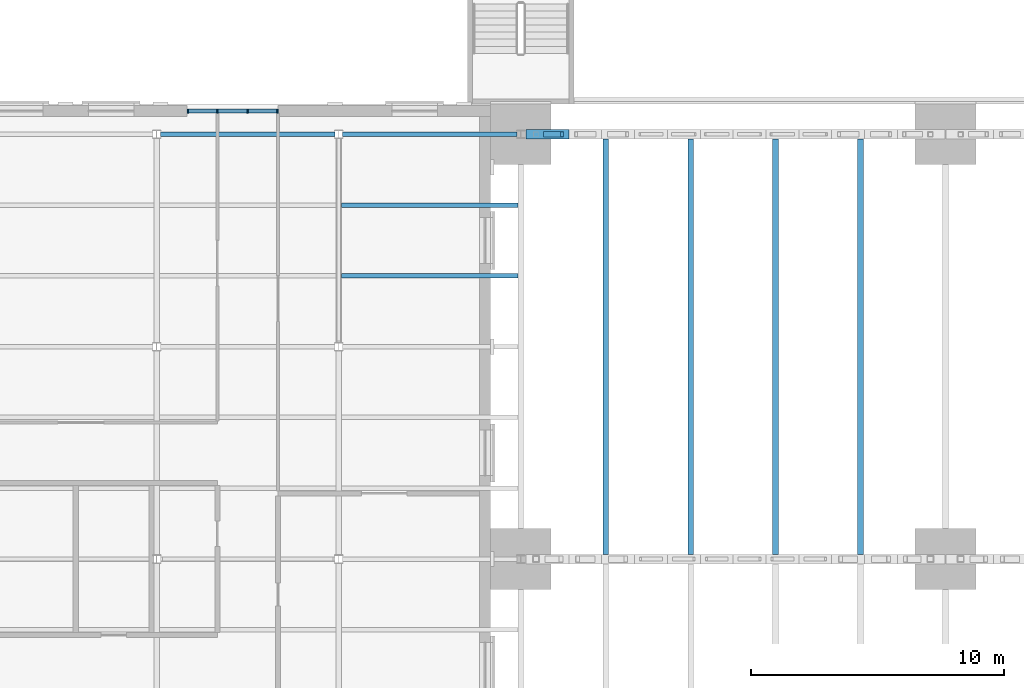
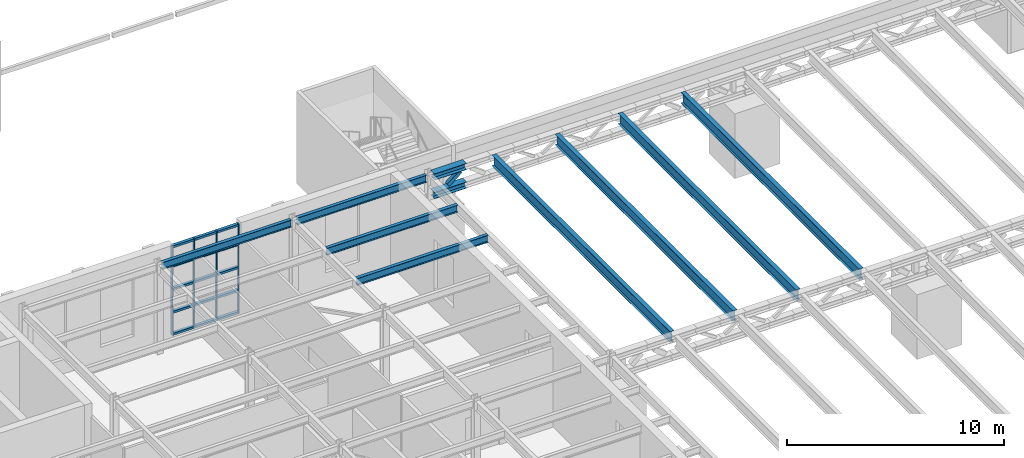
# One storey, part 20 of 93: 22 members, 8 beams, 1 element without a shape of its own.
"""IFC4 building model written with IfcOpenShell, lengths in metres."""

from ifc_helpers import new_model, si_unit, direction, frame, origin, origin_2d, place, context, subcontext, project, spatial, rectangle, hollow_rectangle, i_section, extrude, material, layer, layer_set, material_profile, profile_set, type_object, element, aggregate, save


model = new_model("IFC4")

# Units and contexts
model_context = context("Model", 3, precision=1e-05, world=origin(), true_north=direction((0.0, 1.0)))
body_context = subcontext(model_context, "Body", "Model", "MODEL_VIEW")
ifc_project = project(units=[si_unit("LENGTHUNIT", "METRE"), si_unit("AREAUNIT", "SQUARE_METRE"), si_unit("VOLUMEUNIT", "CUBIC_METRE"), si_unit("PLANEANGLEUNIT", "RADIAN"), si_unit("MASSUNIT", "GRAM", prefix="KILO")], contexts=[model_context])

# Site, building, storey
site_placement = place(None, origin())
site = spatial("IfcSite", under=ifc_project, at=site_placement, CompositionType="ELEMENT")
building_placement = place(site_placement, origin())
building = spatial("IfcBuilding", under=site, at=building_placement, Name="Verrick Yard Athletic Hall", CompositionType="ELEMENT")
storey_placement = place(building_placement, frame((0.0, 0.0, 8.800048828125)))
storey = spatial("IfcBuildingStorey", under=building, at=storey_placement, Name="L02", CompositionType="ELEMENT", Elevation=8.800048828125)

# Curtain wall, members
ifc_material_1 = material(Name="Anodised aluminium", Category="aluminium")
ifc_layer = layer(ifc_material_1, 0.199951171875)
ifc_layer_set = layer_set([ifc_layer], Name="Front glazing")
curtain_wall_type = type_object("IfcCurtainWallType", Name="Front glazing", PredefinedType="NOTDEFINED", material=ifc_layer_set)
curtain_wall_placement = place(storey_placement, origin())
curtain_wall = element("IfcCurtainWall", 1, at=curtain_wall_placement, inside=storey, type_object=curtain_wall_type, Name="ENVB-WN-L02-CW268", PredefinedType="NOTDEFINED")
ifc_material_profile_1 = material_profile(ifc_material_1, rectangle(XDim=0.159912109375, YDim=0.06005859375, at=origin_2d()), Name="CW mullion 60x160")
ifc_profile_set_1 = profile_set([ifc_material_profile_1], Name="Anodised aluminium")
member_type_1 = type_object("IfcMemberType", Name="Front glazing mullion 60x160", PredefinedType="MULLION", material=ifc_profile_set_1)
member_1_placement = place(storey_placement, frame((26.830078125, 53.71875, 0.0), z_axis=(0.0, 0.0, 1.0), x_axis=(0.0, 1.0, 0.0)))
member_1 = element("IfcMember", 2, at=member_1_placement, type_object=member_type_1, Name="ENVB-WN-L02-CW268/M00", PredefinedType="MULLION", context=body_context, shape_type="SweptSolid", body=[
    extrude(rectangle(XDim=0.159912109375, YDim=0.06005859375, at=origin_2d()), origin(), (0.0, 0.0, 1.0), 5.050048828125),
])
member_2_placement = place(storey_placement, frame((28.0, 53.71875, 0.0), z_axis=(0.0, 0.0, 1.0), x_axis=(0.0, 1.0, 0.0)))
member_2 = element("IfcMember", 3, at=member_2_placement, type_object=member_type_1, Name="ENVB-WN-L02-CW268/M01", PredefinedType="MULLION", context=body_context, shape_type="SweptSolid", body=[
    extrude(rectangle(XDim=0.159912109375, YDim=0.06005859375, at=origin_2d()), origin(), (0.0, 0.0, 1.0), 5.050048828125),
])
member_3_placement = place(storey_placement, frame((29.199951171875, 53.71875, 0.0), z_axis=(0.0, 0.0, 1.0), x_axis=(0.0, 1.0, 0.0)))
member_3 = element("IfcMember", 4, at=member_3_placement, type_object=member_type_1, Name="ENVB-WN-L02-CW268/M02", PredefinedType="MULLION", context=body_context, shape_type="SweptSolid", body=[
    extrude(rectangle(XDim=0.159912109375, YDim=0.06005859375, at=origin_2d()), origin(), (0.0, 0.0, 1.0), 5.050048828125),
])
member_4_placement = place(storey_placement, frame((30.3701171875, 53.71875, 0.0), z_axis=(0.0, 0.0, 1.0), x_axis=(0.0, 1.0, 0.0)))
member_4 = element("IfcMember", 5, at=member_4_placement, type_object=member_type_1, Name="ENVB-WN-L02-CW268/M03", PredefinedType="MULLION", context=body_context, shape_type="SweptSolid", body=[
    extrude(rectangle(XDim=0.159912109375, YDim=0.06005859375, at=origin_2d()), origin(), (0.0, 0.0, 1.0), 5.050048828125),
])
ifc_material_profile_2 = material_profile(ifc_material_1, rectangle(XDim=0.159912109375, YDim=0.1201171875, at=origin_2d()), Name="CW transom 160x120")
ifc_profile_set_2 = profile_set([ifc_material_profile_2], Name="Anodised aluminium")
member_type_2 = type_object("IfcMemberType", Name="Front glazing transom 160x120", PredefinedType="USERDEFINED", material=ifc_profile_set_2)
member_5_placement = place(storey_placement, frame((26.860107421875, 53.71875, 0.06005859375), z_axis=(1.0, 0.0, 0.0), x_axis=(0.0, 1.0, 0.0)))
member_5 = element("IfcMember", 6, at=member_5_placement, type_object=member_type_2, Name="ENVB-WN-L02-CW268/T00-00", ObjectType="TRANSOM", PredefinedType="USERDEFINED", context=body_context, shape_type="SweptSolid", body=[
    extrude(rectangle(XDim=0.159912109375, YDim=0.1201171875, at=origin_2d()), origin(), (0.0, 0.0, 1.0), 1.10986328125),
])
member_6_placement = place(storey_placement, frame((26.860107421875, 53.71875, 1.300048828125), z_axis=(1.0, 0.0, 0.0), x_axis=(0.0, 1.0, 0.0)))
member_6 = element("IfcMember", 7, at=member_6_placement, type_object=member_type_2, Name="ENVB-WN-L02-CW268/T00-01", ObjectType="TRANSOM", PredefinedType="USERDEFINED", context=body_context, shape_type="SweptSolid", body=[
    extrude(rectangle(XDim=0.159912109375, YDim=0.1201171875, at=origin_2d()), origin(), (0.0, 0.0, 1.0), 1.10986328125),
])
member_7_placement = place(storey_placement, frame((26.860107421875, 53.71875, 2.599853515625), z_axis=(1.0, 0.0, 0.0), x_axis=(0.0, 1.0, 0.0)))
member_7 = element("IfcMember", 8, at=member_7_placement, type_object=member_type_2, Name="ENVB-WN-L02-CW268/T00-02", ObjectType="TRANSOM", PredefinedType="USERDEFINED", context=body_context, shape_type="SweptSolid", body=[
    extrude(rectangle(XDim=0.159912109375, YDim=0.1201171875, at=origin_2d()), origin(), (0.0, 0.0, 1.0), 1.10986328125),
])
member_8_placement = place(storey_placement, frame((26.860107421875, 53.71875, 3.89990234375), z_axis=(1.0, 0.0, 0.0), x_axis=(0.0, 1.0, 0.0)))
member_8 = element("IfcMember", 9, at=member_8_placement, type_object=member_type_2, Name="ENVB-WN-L02-CW268/T00-03", ObjectType="TRANSOM", PredefinedType="USERDEFINED", context=body_context, shape_type="SweptSolid", body=[
    extrude(rectangle(XDim=0.159912109375, YDim=0.1201171875, at=origin_2d()), origin(), (0.0, 0.0, 1.0), 1.10986328125),
])
member_9_placement = place(storey_placement, frame((26.860107421875, 53.71875, 4.989990234375), z_axis=(1.0, 0.0, 0.0), x_axis=(0.0, 1.0, 0.0)))
member_9 = element("IfcMember", 10, at=member_9_placement, type_object=member_type_2, Name="ENVB-WN-L02-CW268/T00-04", ObjectType="TRANSOM", PredefinedType="USERDEFINED", context=body_context, shape_type="SweptSolid", body=[
    extrude(rectangle(XDim=0.159912109375, YDim=0.1201171875, at=origin_2d()), origin(), (0.0, 0.0, 1.0), 1.10986328125),
])
member_10_placement = place(storey_placement, frame((28.030029296875, 53.71875, 0.06005859375), z_axis=(1.0, 0.0, 0.0), x_axis=(0.0, 1.0, 0.0)))
member_10 = element("IfcMember", 11, at=member_10_placement, type_object=member_type_2, Name="ENVB-WN-L02-CW268/T01-00", ObjectType="TRANSOM", PredefinedType="USERDEFINED", context=body_context, shape_type="SweptSolid", body=[
    extrude(rectangle(XDim=0.159912109375, YDim=0.1201171875, at=origin_2d()), origin(), (0.0, 0.0, 1.0), 1.139892578125),
])
member_11_placement = place(storey_placement, frame((28.030029296875, 53.71875, 1.300048828125), z_axis=(1.0, 0.0, 0.0), x_axis=(0.0, 1.0, 0.0)))
member_11 = element("IfcMember", 12, at=member_11_placement, type_object=member_type_2, Name="ENVB-WN-L02-CW268/T01-01", ObjectType="TRANSOM", PredefinedType="USERDEFINED", context=body_context, shape_type="SweptSolid", body=[
    extrude(rectangle(XDim=0.159912109375, YDim=0.1201171875, at=origin_2d()), origin(), (0.0, 0.0, 1.0), 1.139892578125),
])
member_12_placement = place(storey_placement, frame((28.030029296875, 53.71875, 2.599853515625), z_axis=(1.0, 0.0, 0.0), x_axis=(0.0, 1.0, 0.0)))
member_12 = element("IfcMember", 13, at=member_12_placement, type_object=member_type_2, Name="ENVB-WN-L02-CW268/T01-02", ObjectType="TRANSOM", PredefinedType="USERDEFINED", context=body_context, shape_type="SweptSolid", body=[
    extrude(rectangle(XDim=0.159912109375, YDim=0.1201171875, at=origin_2d()), origin(), (0.0, 0.0, 1.0), 1.139892578125),
])
member_13_placement = place(storey_placement, frame((28.030029296875, 53.71875, 3.89990234375), z_axis=(1.0, 0.0, 0.0), x_axis=(0.0, 1.0, 0.0)))
member_13 = element("IfcMember", 14, at=member_13_placement, type_object=member_type_2, Name="ENVB-WN-L02-CW268/T01-03", ObjectType="TRANSOM", PredefinedType="USERDEFINED", context=body_context, shape_type="SweptSolid", body=[
    extrude(rectangle(XDim=0.159912109375, YDim=0.1201171875, at=origin_2d()), origin(), (0.0, 0.0, 1.0), 1.139892578125),
])
member_14_placement = place(storey_placement, frame((28.030029296875, 53.71875, 4.989990234375), z_axis=(1.0, 0.0, 0.0), x_axis=(0.0, 1.0, 0.0)))
member_14 = element("IfcMember", 15, at=member_14_placement, type_object=member_type_2, Name="ENVB-WN-L02-CW268/T01-04", ObjectType="TRANSOM", PredefinedType="USERDEFINED", context=body_context, shape_type="SweptSolid", body=[
    extrude(rectangle(XDim=0.159912109375, YDim=0.1201171875, at=origin_2d()), origin(), (0.0, 0.0, 1.0), 1.139892578125),
])
member_15_placement = place(storey_placement, frame((29.22998046875, 53.71875, 0.06005859375), z_axis=(1.0, 0.0, 0.0), x_axis=(0.0, 1.0, 0.0)))
member_15 = element("IfcMember", 16, at=member_15_placement, type_object=member_type_2, Name="ENVB-WN-L02-CW268/T02-00", ObjectType="TRANSOM", PredefinedType="USERDEFINED", context=body_context, shape_type="SweptSolid", body=[
    extrude(rectangle(XDim=0.159912109375, YDim=0.1201171875, at=origin_2d()), origin(), (0.0, 0.0, 1.0), 1.110107421875),
])
member_16_placement = place(storey_placement, frame((29.22998046875, 53.71875, 1.300048828125), z_axis=(1.0, 0.0, 0.0), x_axis=(0.0, 1.0, 0.0)))
member_16 = element("IfcMember", 17, at=member_16_placement, type_object=member_type_2, Name="ENVB-WN-L02-CW268/T02-01", ObjectType="TRANSOM", PredefinedType="USERDEFINED", context=body_context, shape_type="SweptSolid", body=[
    extrude(rectangle(XDim=0.159912109375, YDim=0.1201171875, at=origin_2d()), origin(), (0.0, 0.0, 1.0), 1.110107421875),
])
member_17_placement = place(storey_placement, frame((29.22998046875, 53.71875, 2.599853515625), z_axis=(1.0, 0.0, 0.0), x_axis=(0.0, 1.0, 0.0)))
member_17 = element("IfcMember", 18, at=member_17_placement, type_object=member_type_2, Name="ENVB-WN-L02-CW268/T02-02", ObjectType="TRANSOM", PredefinedType="USERDEFINED", context=body_context, shape_type="SweptSolid", body=[
    extrude(rectangle(XDim=0.159912109375, YDim=0.1201171875, at=origin_2d()), origin(), (0.0, 0.0, 1.0), 1.110107421875),
])
member_18_placement = place(storey_placement, frame((29.22998046875, 53.71875, 3.89990234375), z_axis=(1.0, 0.0, 0.0), x_axis=(0.0, 1.0, 0.0)))
member_18 = element("IfcMember", 19, at=member_18_placement, type_object=member_type_2, Name="ENVB-WN-L02-CW268/T02-03", ObjectType="TRANSOM", PredefinedType="USERDEFINED", context=body_context, shape_type="SweptSolid", body=[
    extrude(rectangle(XDim=0.159912109375, YDim=0.1201171875, at=origin_2d()), origin(), (0.0, 0.0, 1.0), 1.110107421875),
])
member_19_placement = place(storey_placement, frame((29.22998046875, 53.71875, 4.989990234375), z_axis=(1.0, 0.0, 0.0), x_axis=(0.0, 1.0, 0.0)))
member_19 = element("IfcMember", 20, at=member_19_placement, type_object=member_type_2, Name="ENVB-WN-L02-CW268/T02-04", ObjectType="TRANSOM", PredefinedType="USERDEFINED", context=body_context, shape_type="SweptSolid", body=[
    extrude(rectangle(XDim=0.159912109375, YDim=0.1201171875, at=origin_2d()), origin(), (0.0, 0.0, 1.0), 1.110107421875),
])
aggregate(curtain_wall, [member_1, member_2, member_3, member_4, member_5, member_6, member_7, member_8, member_9, member_10, member_11, member_12, member_13, member_14, member_15, member_16, member_17, member_18, member_19])

# Members
ifc_material_2 = material(Name="Structural steel 350W (CSA G40.21)", Category="steel")
ifc_material_profile_3 = material_profile(ifc_material_2, i_section(OverallWidth=0.368896484375, OverallDepth=0.35595703125, WebThickness=0.01123046875, FlangeThickness=0.01806640625, at=origin_2d()), Name="W360x134")
ifc_profile_set_3 = profile_set([ifc_material_profile_3], Name="Structural steel 350W (CSA G40.21)")
member_type_3 = type_object("IfcMemberType", Name="STR Edge truss bottom chord W360x134", PredefinedType="CHORD", material=ifc_profile_set_3)
member_20_placement = place(storey_placement, frame((40.199951171875, 52.800048828125, 3.827880859375), z_axis=(1.0, 0.0, 0.0), x_axis=(0.0, 1.0, 0.0)))
element("IfcMember", 21, at=member_20_placement, inside=storey, type_object=member_type_3, Name="STR-BC-GC1-1", PredefinedType="CHORD", context=body_context, shape_type="SweptSolid", body=[
    extrude(i_section(OverallWidth=0.368896484375, OverallDepth=0.35595703125, WebThickness=0.01123046875, FlangeThickness=0.01806640625, at=origin_2d()), origin(), (0.0, 0.0, 1.0), 1.699951171875),
])
ifc_material_profile_4 = material_profile(ifc_material_2, i_section(OverallWidth=0.368896484375, OverallDepth=0.35595703125, WebThickness=0.01123046875, FlangeThickness=0.01806640625, at=origin_2d()), Name="W360x134")
ifc_profile_set_4 = profile_set([ifc_material_profile_4], Name="Structural steel 350W (CSA G40.21)")
member_type_4 = type_object("IfcMemberType", Name="STR Edge truss top chord W360x134", PredefinedType="CHORD", material=ifc_profile_set_4)
member_21_placement = place(storey_placement, frame((40.199951171875, 52.800048828125, 4.8720703125), z_axis=(1.0, 0.0, 0.0), x_axis=(0.0, 1.0, 0.0)))
element("IfcMember", 22, at=member_21_placement, inside=storey, type_object=member_type_4, Name="STR-TC-GC1-1", PredefinedType="CHORD", context=body_context, shape_type="SweptSolid", body=[
    extrude(i_section(OverallWidth=0.368896484375, OverallDepth=0.35595703125, WebThickness=0.01123046875, FlangeThickness=0.01806640625, at=origin_2d()), origin(), (0.0, 0.0, 1.0), 1.699951171875),
])
ifc_material_3 = material(Name="Structural steel HSS Class C 350W (CSA G40.20/G40.21)", Category="steel")
ifc_material_profile_5 = material_profile(ifc_material_3, hollow_rectangle(XDim=0.203125, YDim=0.203125, WallThickness=0.0126953125, at=origin_2d()), Name="HSS203x203x13")
ifc_profile_set_5 = profile_set([ifc_material_profile_5], Name="Structural steel HSS Class C 350W (CSA G40.20/G40.21)")
member_type_5 = type_object("IfcMemberType", Name="STR Edge truss web HSS203x203x13", PredefinedType="BRACE", material=ifc_profile_set_5)
member_22_placement = place(storey_placement, frame((40.97216796875, 52.800048828125, 4.084716796875), z_axis=(0.780391329508, 0.0, 0.625291430318), x_axis=(0.0, 1.0, 0.0)))
element("IfcMember", 23, at=member_22_placement, inside=storey, type_object=member_type_5, Name="STR-TW-GC1-1", PredefinedType="BRACE", context=body_context, shape_type="SweptSolid", body=[
    extrude(hollow_rectangle(XDim=0.203125, YDim=0.203125, WallThickness=0.0126953125, at=origin_2d()), origin(), (0.0, 0.0, 1.0), 0.848388671875),
])

# Beams
ifc_material_profile_6 = material_profile(ifc_material_2, i_section(OverallWidth=0.22802734375, OverallDepth=0.60791015625, WebThickness=0.01123046875, FlangeThickness=0.017333984375, at=origin_2d()), Name="W610x113")
ifc_profile_set_6 = profile_set([ifc_material_profile_6], Name="Structural steel 350W (CSA G40.21)")
beam_type_1 = type_object("IfcBeamType", Name="STR Secondary beam W610x113", PredefinedType="BEAM", material=ifc_profile_set_6)
for number, where, z_axis, x_axis, name in (
    (24, (43.360107421875, 36.18701171875, 4.745849609375), (0.0, 1.0, 0.0), (-1.0, 0.0, 0.0), "STR-SB-S211"),
    (25, (46.719970703125, 36.18701171875, 4.745849609375), (0.0, 1.0, 0.0), (-1.0, 0.0, 0.0), "STR-SB-S212"),
    (26, (50.080078125, 36.18701171875, 4.745849609375), (0.0, 1.0, 0.0), (-1.0, 0.0, 0.0), "STR-SB-S213"),
    (27, (53.43994140625, 36.18701171875, 4.745849609375), (0.0, 1.0, 0.0), (-1.0, 0.0, 0.0), "STR-SB-S214"),
):
    element("IfcBeam", number, at=place(storey_placement, frame(where, z_axis=z_axis, x_axis=x_axis)), inside=storey, type_object=beam_type_1, Name=name, PredefinedType="BEAM", context=body_context, shape_type="SweptSolid", body=[
        extrude(i_section(OverallWidth=0.22802734375, OverallDepth=0.60791015625, WebThickness=0.01123046875, FlangeThickness=0.017333984375, at=origin_2d()), origin(), (0.0, 0.0, 1.0), 16.428466796875),
    ])
ifc_material_profile_7 = material_profile(ifc_material_2, i_section(OverallWidth=0.177978515625, OverallDepth=0.406982421875, WebThickness=0.0078125, FlangeThickness=0.0126953125, at=origin_2d()), Name="W410x60")
ifc_profile_set_7 = profile_set([ifc_material_profile_7], Name="Structural steel 350W (CSA G40.21)")
beam_type_2 = type_object("IfcBeamType", Name="STR Wing floor beam W410x60", PredefinedType="BEAM", material=ifc_profile_set_7)
beam_1_placement = place(storey_placement, frame((25.75439453125, 52.800048828125, 4.846435546875), z_axis=(1.0, 0.0, 0.0), x_axis=(0.0, 1.0, 0.0)))
element("IfcBeam", 28, at=beam_1_placement, inside=storey, type_object=beam_type_2, Name="STR-B-W140-52.8-2", PredefinedType="BEAM", context=body_context, shape_type="SweptSolid", body=[
    extrude(i_section(OverallWidth=0.177978515625, OverallDepth=0.406982421875, WebThickness=0.0078125, FlangeThickness=0.0126953125, at=origin_2d()), origin(), (0.0, 0.0, 1.0), 6.89111328125),
])
beam_2_placement = place(storey_placement, frame((32.95458984375, 52.800048828125, 4.846435546875), z_axis=(1.0, 0.0, 0.0), x_axis=(0.0, 1.0, 0.0)))
element("IfcBeam", 29, at=beam_2_placement, inside=storey, type_object=beam_type_2, Name="STR-B-W140-52.8-3", PredefinedType="BEAM", context=body_context, shape_type="SweptSolid", body=[
    extrude(i_section(OverallWidth=0.177978515625, OverallDepth=0.406982421875, WebThickness=0.0078125, FlangeThickness=0.0126953125, at=origin_2d()), origin(), (0.0, 0.0, 1.0), 6.890869140625),
])
for number, where, z_axis, x_axis, name in (
    (30, (32.904541015625, 47.199951171875, 4.846435546875), (1.0, 0.0, 0.0), (0.0, 1.0, 0.0), "STR-B-W140-47.2-3"),
    (31, (32.904541015625, 50.0, 4.846435546875), (1.0, 0.0, 0.0), (0.0, 1.0, 0.0), "STR-B-W140-50-3"),
):
    element("IfcBeam", number, at=place(storey_placement, frame(where, z_axis=z_axis, x_axis=x_axis)), inside=storey, type_object=beam_type_2, Name=name, PredefinedType="BEAM", context=body_context, shape_type="SweptSolid", body=[
        extrude(i_section(OverallWidth=0.177978515625, OverallDepth=0.406982421875, WebThickness=0.0078125, FlangeThickness=0.0126953125, at=origin_2d()), origin(), (0.0, 0.0, 1.0), 6.9814453125),
    ])

save(model, "model.ifc")
